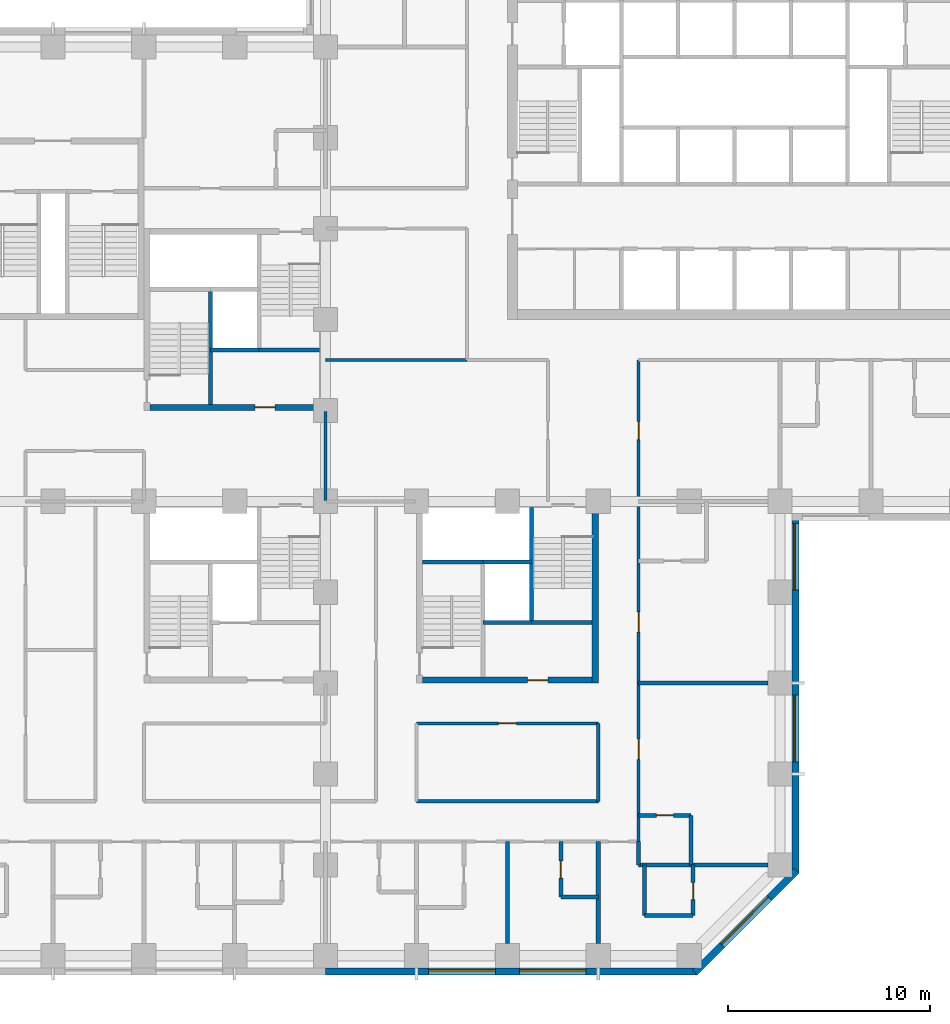
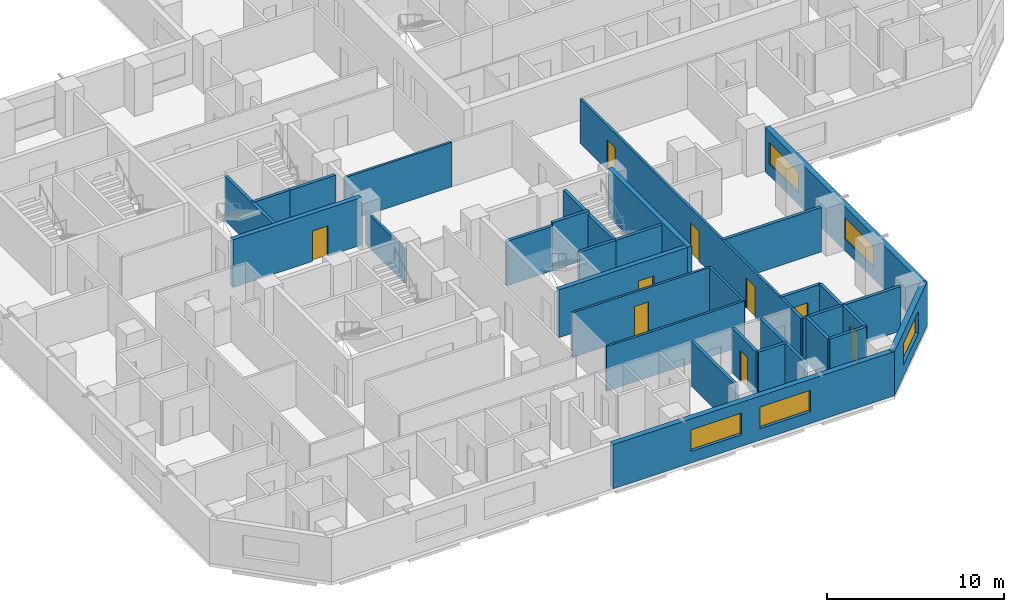
# One storey, part 5 of 13: 32 walls, 9 doors, 5 windows, 14 openings.
"""IFC4 building model written with IfcOpenShell, lengths in metres."""

from ifc_helpers import new_model, si_unit, direction, frame, frame_2d, origin, place, context, subcontext, project, spatial, rectangle, extrude, material, layer, layer_set, constituent, constituent_set, type_object, element, fill, save


model = new_model("IFC4")

# Units and contexts
model_context = context("Model", 3, precision=1e-05, world=origin(), true_north=direction((0.0, 1.0)))
body_context = subcontext(model_context, "Body", "Model", "MODEL_VIEW")
ifc_project = project(units=[si_unit("LENGTHUNIT", "METRE"), si_unit("AREAUNIT", "SQUARE_METRE"), si_unit("VOLUMEUNIT", "CUBIC_METRE"), si_unit("PLANEANGLEUNIT", "RADIAN"), si_unit("MASSUNIT", "GRAM", prefix="KILO")], contexts=[model_context])

# Site, building, storey
site_placement = place(None, origin())
site = spatial("IfcSite", under=ifc_project, at=site_placement, CompositionType="ELEMENT")
building_placement = place(site_placement, origin())
building = spatial("IfcBuilding", under=site, at=building_placement, Name="Quoin Convention Tower", CompositionType="ELEMENT")
storey_placement = place(building_placement, frame((0.0, 0.0, 49.5)))
storey = spatial("IfcBuildingStorey", under=building, at=storey_placement, Name="L12", CompositionType="ELEMENT", Elevation=49.5)

# Wall, openings, windows
ifc_material_1 = material(Name="Brick masonry", Category="masonry")
ifc_layer_1 = layer(ifc_material_1, 0.35009765625)
ifc_layer_set_1 = layer_set([ifc_layer_1], Name="Brick masonry")
wall_type_1 = type_object("IfcWallType", Name="Brick facade wall", PredefinedType="STANDARD", material=ifc_layer_set_1)
wall_1_placement = place(storey_placement, frame((36.0, 17.22509765625, 0.0), z_axis=(0.0, 0.0, 1.0), x_axis=(1.0, 0.0, 0.0)))
wall_1 = element("IfcWall", 1, at=wall_1_placement, inside=storey, type_object=wall_type_1, Name="fw-L12-36000_18000", PredefinedType="STANDARD", context=body_context, shape_type="SweptSolid", body=[
    extrude(rectangle(XDim=18.3935546875, YDim=0.35009765625, at=frame_2d((9.19677734375, 0.0))), origin(), (0.0, 0.0, 1.0), 3.054931640625),
])
opening_1_placement = place(wall_1_placement, frame((5.10009765625, 0.0, 0.800048828125)))
opening_1 = element("IfcOpeningElement", 2, at=opening_1_placement, cuts=wall_1, Name="Opening W-01", PredefinedType="OPENING", context=body_context, shape_type="SweptSolid", body=[
    extrude(rectangle(XDim=3.300048828125, YDim=1.5, at=frame_2d((1.64990234375, 0.75))), frame((0.0, 0.18505859375, 0.0), z_axis=(0.0, -1.0, 0.0), x_axis=(1.0, 0.0, 0.0)), (0.0, 0.0, 1.0), 0.3701171875),
])
opening_2_placement = place(wall_1_placement, frame((9.60009765625, 0.0, 0.800048828125)))
opening_2 = element("IfcOpeningElement", 3, at=opening_2_placement, cuts=wall_1, Name="Opening W-01", PredefinedType="OPENING", context=body_context, shape_type="SweptSolid", body=[
    extrude(rectangle(XDim=3.300048828125, YDim=1.5, at=frame_2d((1.64990234375, 0.75))), frame((0.0, 0.18505859375, 0.0), z_axis=(0.0, -1.0, 0.0), x_axis=(1.0, 0.0, 0.0)), (0.0, 0.0, 1.0), 0.3701171875),
])
ifc_material_2 = material(Name="Aluminium", Category="aluminium")
ifc_constituent_1 = constituent(ifc_material_2, Name="Frame")
ifc_material_3 = material(Name="Insulated glass", Category="glass")
ifc_constituent_2 = constituent(ifc_material_3, Name="Glazing")
ifc_constituent_set = constituent_set(constituents=[ifc_constituent_1, ifc_constituent_2], Name="Aluminium")
window_type = type_object("IfcWindowType", Name="Hotel strip window", PartitioningType="DOUBLE_PANEL_VERTICAL", PredefinedType="WINDOW", material=ifc_constituent_set)
window_1_placement = place(opening_1_placement, origin())
window_1 = element("IfcWindow", 4, at=window_1_placement, inside=storey, type_object=window_type, Name="win-L12-42750_17225", OverallHeight=1.5, OverallWidth=3.300048828125, PartitioningType="SINGLE_PANEL", PredefinedType="WINDOW", context=body_context, shape_type="SweptSolid", body=[
    extrude(rectangle(XDim=3.300048828125, YDim=1.5, at=frame_2d((1.64990234375, 0.75))), frame((0.0, 0.0849609375, 0.0), z_axis=(0.0, -1.0, 0.0), x_axis=(1.0, 0.0, 0.0)), (0.0, 0.0, 1.0), 0.06005859375),
])
fill(opening_1, window_1)
window_2_placement = place(opening_2_placement, origin())
window_2 = element("IfcWindow", 5, at=window_2_placement, inside=storey, type_object=window_type, Name="win-L12-47250_17225", OverallHeight=1.5, OverallWidth=3.300048828125, PartitioningType="SINGLE_PANEL", PredefinedType="WINDOW", context=body_context, shape_type="SweptSolid", body=[
    extrude(rectangle(XDim=3.300048828125, YDim=1.5, at=frame_2d((1.64990234375, 0.75))), frame((0.0, 0.0849609375, 0.0), z_axis=(0.0, -1.0, 0.0), x_axis=(1.0, 0.0, 0.0)), (0.0, 0.0, 1.0), 0.06005859375),
])
fill(opening_2, window_2)

# Wall, opening, window
wall_2_placement = place(storey_placement, frame((54.269775390625, 17.173583984375, 0.0), z_axis=(0.0, 0.0, 1.0), x_axis=(0.707106781187, 0.707106781187, 0.0)))
wall_2 = element("IfcWall", 6, at=wall_2_placement, inside=storey, type_object=wall_type_1, Name="fw-L12-54000_18000", PredefinedType="STANDARD", context=body_context, shape_type="SweptSolid", body=[
    extrude(rectangle(XDim=7.151123046875, YDim=0.35009765625, at=frame_2d((3.57568359375, 0.0))), origin(), (0.0, 0.0, 1.0), 3.054931640625),
])
opening_3_placement = place(wall_2_placement, frame((1.925537109375, 0.0, 0.800048828125)))
opening_3 = element("IfcOpeningElement", 7, at=opening_3_placement, cuts=wall_2, Name="Opening W-01", PredefinedType="OPENING", context=body_context, shape_type="SweptSolid", body=[
    extrude(rectangle(XDim=3.300048828125, YDim=1.5, at=frame_2d((1.64990234375, 0.75))), frame((0.0, 0.18505859375, 0.0), z_axis=(0.0, -1.0, 0.0), x_axis=(1.0, 0.0, 0.0)), (0.0, 0.0, 1.0), 0.3701171875),
])
window_3_placement = place(opening_3_placement, origin())
window_3 = element("IfcWindow", 8, at=window_3_placement, inside=storey, type_object=window_type, Name="win-L12-56798_19702", OverallHeight=1.5, OverallWidth=3.300048828125, PartitioningType="SINGLE_PANEL", PredefinedType="WINDOW", context=body_context, shape_type="SweptSolid", body=[
    extrude(rectangle(XDim=3.300048828125, YDim=1.5, at=frame_2d((1.64990234375, 0.75))), frame((0.0, 0.0849609375, 0.0), z_axis=(0.0, -1.0, 0.0), x_axis=(1.0, 0.0, 0.0)), (0.0, 0.0, 1.0), 0.06005859375),
])
fill(opening_3, window_3)

# Wall, openings, windows
wall_3_placement = place(storey_placement, frame((59.27490234375, 22.1064453125, 0.0), z_axis=(0.0, 0.0, 1.0), x_axis=(0.0, 1.0, 0.0)))
wall_3 = element("IfcWall", 9, at=wall_3_placement, inside=storey, type_object=wall_type_1, Name="fw-L12-58500_22500", PredefinedType="STANDARD", context=body_context, shape_type="SweptSolid", body=[
    extrude(rectangle(XDim=17.79345703125, YDim=0.35009765625, at=frame_2d((8.896728515625, 0.0))), origin(), (0.0, 0.0, 1.0), 3.054931640625),
])
opening_4_placement = place(wall_3_placement, frame((5.493408203125, 0.0, 0.800048828125)))
opening_4 = element("IfcOpeningElement", 10, at=opening_4_placement, cuts=wall_3, Name="Opening W-01", PredefinedType="OPENING", context=body_context, shape_type="SweptSolid", body=[
    extrude(rectangle(XDim=3.300048828125, YDim=1.5, at=frame_2d((1.64990234375, 0.75))), frame((0.0, 0.18505859375, 0.0), z_axis=(0.0, -1.0, 0.0), x_axis=(1.0, 0.0, 0.0)), (0.0, 0.0, 1.0), 0.3701171875),
])
opening_5_placement = place(wall_3_placement, frame((13.993408203125, 0.0, 0.800048828125)))
opening_5 = element("IfcOpeningElement", 11, at=opening_5_placement, cuts=wall_3, Name="Opening W-01", PredefinedType="OPENING", context=body_context, shape_type="SweptSolid", body=[
    extrude(rectangle(XDim=3.300048828125, YDim=1.5, at=frame_2d((1.64990234375, 0.75))), frame((0.0, 0.18505859375, 0.0), z_axis=(0.0, -1.0, 0.0), x_axis=(1.0, 0.0, 0.0)), (0.0, 0.0, 1.0), 0.3701171875),
])
window_4_placement = place(opening_4_placement, origin())
window_4 = element("IfcWindow", 12, at=window_4_placement, inside=storey, type_object=window_type, Name="win-L12-59275_29250", OverallHeight=1.5, OverallWidth=3.300048828125, PartitioningType="SINGLE_PANEL", PredefinedType="WINDOW", context=body_context, shape_type="SweptSolid", body=[
    extrude(rectangle(XDim=3.300048828125, YDim=1.5, at=frame_2d((1.64990234375, 0.75))), frame((0.0, 0.0849609375, 0.0), z_axis=(0.0, -1.0, 0.0), x_axis=(1.0, 0.0, 0.0)), (0.0, 0.0, 1.0), 0.06005859375),
])
fill(opening_4, window_4)
window_5_placement = place(opening_5_placement, origin())
window_5 = element("IfcWindow", 13, at=window_5_placement, inside=storey, type_object=window_type, Name="win-L12-59275_38250", OverallHeight=1.5, OverallWidth=3.300048828125, PartitioningType="SINGLE_PANEL", PredefinedType="WINDOW", context=body_context, shape_type="SweptSolid", body=[
    extrude(rectangle(XDim=3.300048828125, YDim=1.5, at=frame_2d((1.64990234375, 0.75))), frame((0.0, 0.0849609375, 0.0), z_axis=(0.0, -1.0, 0.0), x_axis=(1.0, 0.0, 0.0)), (0.0, 0.0, 1.0), 0.06005859375),
])
fill(opening_5, window_5)

# Walls
ifc_material_4 = material(Name="Concrete C50", Category="concrete")
ifc_layer_2 = layer(ifc_material_4, 0.199951171875)
ifc_layer_set_2 = layer_set([ifc_layer_2], Name="Concrete C50")
wall_type_2 = type_object("IfcWallType", Name="Core shaft wall", PredefinedType="SOLIDWALL", material=ifc_layer_set_2)
wall_4_placement = place(storey_placement, frame((30.300048828125, 48.0, 0.0), z_axis=(0.0, 0.0, 1.0), x_axis=(1.0, 0.0, 0.0)))
element("IfcWall", 14, at=wall_4_placement, inside=storey, type_object=wall_type_2, Name="cr-P2-L12-h3000_3300", PredefinedType="SOLIDWALL", context=body_context, shape_type="SweptSolid", body=[
    extrude(rectangle(XDim=2.39990234375, YDim=0.199951171875, at=frame_2d((1.199951171875, 0.0))), origin(), (0.0, 0.0, 1.0), 3.080078125),
])
wall_5_placement = place(storey_placement, frame((32.699951171875, 48.0, 0.0), z_axis=(0.0, 0.0, 1.0), x_axis=(1.0, 0.0, 0.0)))
element("IfcWall", 15, at=wall_5_placement, inside=storey, type_object=wall_type_2, Name="cr-P2-L12-h3000_5700", PredefinedType="SOLIDWALL", context=body_context, shape_type="SweptSolid", body=[
    extrude(rectangle(XDim=3.0, YDim=0.199951171875, at=frame_2d((1.5, 0.0))), origin(), (0.0, 0.0, 1.0), 3.080078125),
])
wall_6_placement = place(storey_placement, frame((30.300048828125, 45.300048828125, 0.0), z_axis=(0.0, 0.0, 1.0), x_axis=(0.0, 1.0, 0.0)))
element("IfcWall", 16, at=wall_6_placement, inside=storey, type_object=wall_type_2, Name="cr-P2-L12-v3300_300", PredefinedType="SOLIDWALL", context=body_context, shape_type="SweptSolid", body=[
    extrude(rectangle(XDim=5.699951171875, YDim=0.199951171875, at=frame_2d((2.85009765625, 0.0))), origin(), (0.0, 0.0, 1.0), 3.080078125),
])
wall_7_placement = place(storey_placement, frame((43.800048828125, 34.5, 0.0), z_axis=(0.0, 0.0, 1.0), x_axis=(1.0, 0.0, 0.0)))
element("IfcWall", 17, at=wall_7_placement, inside=storey, type_object=wall_type_2, Name="cr-P3-L12-h3000_3300", PredefinedType="SOLIDWALL", context=body_context, shape_type="SweptSolid", body=[
    extrude(rectangle(XDim=2.39990234375, YDim=0.199951171875, at=frame_2d((1.199951171875, 0.0))), origin(), (0.0, 0.0, 1.0), 3.080078125),
])
for number, where, z_axis, x_axis, name in (
    (18, (46.199951171875, 34.5, 0.0), (0.0, 0.0, 1.0), (1.0, 0.0, 0.0), "cr-P3-L12-h3000_5700"),
    (19, (40.800048828125, 37.5, 0.0), (0.0, 0.0, 1.0), (1.0, 0.0, 0.0), "cr-P3-L12-h6000_300"),
):
    element("IfcWall", number, at=place(storey_placement, frame(where, z_axis=z_axis, x_axis=x_axis)), inside=storey, type_object=wall_type_2, Name=name, PredefinedType="SOLIDWALL", context=body_context, shape_type="SweptSolid", body=[
        extrude(rectangle(XDim=3.0, YDim=0.199951171875, at=frame_2d((1.5, 0.0))), origin(), (0.0, 0.0, 1.0), 3.080078125),
    ])
wall_8_placement = place(storey_placement, frame((46.199951171875, 34.5, 0.0), z_axis=(0.0, 0.0, 1.0), x_axis=(0.0, 1.0, 0.0)))
element("IfcWall", 20, at=wall_8_placement, inside=storey, type_object=wall_type_2, Name="cr-P3-L12-v5700_3000", PredefinedType="SOLIDWALL", context=body_context, shape_type="SweptSolid", body=[
    extrude(rectangle(XDim=5.699951171875, YDim=0.199951171875, at=frame_2d((2.85009765625, 0.0))), origin(), (0.0, 0.0, 1.0), 3.080078125),
])
ifc_layer_3 = layer(ifc_material_4, 0.199951171875)
ifc_layer_set_3 = layer_set([ifc_layer_3], Name="Concrete C50")
wall_type_3 = type_object("IfcWallType", Name="Core shaft wall to the floor level over", PredefinedType="SOLIDWALL", material=ifc_layer_set_3)
wall_9_placement = place(storey_placement, frame((43.800048828125, 37.5, 0.0), z_axis=(0.0, 0.0, 1.0), x_axis=(1.0, 0.0, 0.0)))
element("IfcWall", 21, at=wall_9_placement, inside=storey, type_object=wall_type_3, Name="cr-P3-L12-h6000_3300", PredefinedType="SOLIDWALL", context=body_context, shape_type="SweptSolid", body=[
    extrude(rectangle(XDim=2.39990234375, YDim=0.199951171875, at=frame_2d((1.199951171875, 0.0))), origin(), (0.0, 0.0, 1.0), 3.300048828125),
])

# Wall, opening, door
ifc_material_5 = material(Name="Concrete C80", Category="concrete")
ifc_layer_4 = layer(ifc_material_5, 0.300048828125)
ifc_layer_set_4 = layer_set([ifc_layer_4], Name="Concrete C80")
wall_type_4 = type_object("IfcWallType", Name="RC CORE WALL 300 C80", PredefinedType="SHEAR", material=ifc_layer_set_4)
wall_10_placement = place(storey_placement, frame((27.300048828125, 45.14990234375, 0.0), z_axis=(0.0, 0.0, 1.0), x_axis=(1.0, 0.0, 0.0)))
wall_10 = element("IfcWall", 22, at=wall_10_placement, inside=storey, type_object=wall_type_4, Name="cwl-P2-L12-S", PredefinedType="SHEAR", context=body_context, shape_type="SweptSolid", body=[
    extrude(rectangle(XDim=8.39990234375, YDim=0.300048828125, at=frame_2d((4.199951171875, 0.0))), origin(), (0.0, 0.0, 1.0), 3.300048828125),
])
opening_6_placement = place(wall_10_placement, frame((5.199951171875, 0.0, 0.0)))
opening_6 = element("IfcOpeningElement", 23, at=opening_6_placement, cuts=wall_10, Name="Opening DCV4-42", PredefinedType="OPENING", context=body_context, shape_type="SweptSolid", body=[
    extrude(rectangle(XDim=1.0, YDim=2.10009765625, at=frame_2d((0.5, 1.050048828125))), frame((0.0, 0.159912109375, 0.0), z_axis=(0.0, -1.0, 0.0), x_axis=(1.0, 0.0, 0.0)), (0.0, 0.0, 1.0), 0.320068359375),
])
ifc_material_6 = material(Name="Steel door leaf", Category="steel")
door_type_1 = type_object("IfcDoorType", Name="Service door 1000 x 2100", OperationType="SINGLE_SWING_LEFT", PredefinedType="DOOR", material=ifc_material_6)
door_1_placement = place(opening_6_placement, origin())
door_1 = element("IfcDoor", 24, at=door_1_placement, inside=storey, type_object=door_type_1, Name="cd-P2-L12-R2-S", OperationType="SINGLE_SWING_LEFT", OverallHeight=2.10009765625, OverallWidth=1.0, PredefinedType="DOOR", context=body_context, shape_type="SweptSolid", body=[
    extrude(rectangle(XDim=1.0, YDim=2.10009765625, at=frame_2d((0.5, 1.050048828125))), frame((0.0, 0.02490234375, 0.0), z_axis=(0.0, -1.0, 0.0), x_axis=(1.0, 0.0, 0.0)), (0.0, 0.0, 1.0), 0.050048828125),
])
fill(opening_6, door_1)

wall_11_placement = place(storey_placement, frame((40.800048828125, 31.64990234375, 0.0), z_axis=(0.0, 0.0, 1.0), x_axis=(1.0, 0.0, 0.0)))
wall_11 = element("IfcWall", 25, at=wall_11_placement, inside=storey, type_object=wall_type_4, Name="cwl-P3-L12-S", PredefinedType="SHEAR", context=body_context, shape_type="SweptSolid", body=[
    extrude(rectangle(XDim=8.39990234375, YDim=0.300048828125, at=frame_2d((4.199951171875, 0.0))), origin(), (0.0, 0.0, 1.0), 3.300048828125),
])
opening_7_placement = place(wall_11_placement, frame((5.199951171875, 0.0, 0.0)))
opening_7 = element("IfcOpeningElement", 26, at=opening_7_placement, cuts=wall_11, Name="Opening DCV4-43", PredefinedType="OPENING", context=body_context, shape_type="SweptSolid", body=[
    extrude(rectangle(XDim=1.0, YDim=2.10009765625, at=frame_2d((0.5, 1.050048828125))), frame((0.0, 0.159912109375, 0.0), z_axis=(0.0, -1.0, 0.0), x_axis=(1.0, 0.0, 0.0)), (0.0, 0.0, 1.0), 0.320068359375),
])
door_2_placement = place(opening_7_placement, origin())
door_2 = element("IfcDoor", 27, at=door_2_placement, inside=storey, type_object=door_type_1, Name="cd-P3-L12-R2-S", OperationType="SINGLE_SWING_LEFT", OverallHeight=2.10009765625, OverallWidth=1.0, PredefinedType="DOOR", context=body_context, shape_type="SweptSolid", body=[
    extrude(rectangle(XDim=1.0, YDim=2.10009765625, at=frame_2d((0.5, 1.050048828125))), frame((0.0, 0.02490234375, 0.0), z_axis=(0.0, -1.0, 0.0), x_axis=(1.0, 0.0, 0.0)), (0.0, 0.0, 1.0), 0.050048828125),
])
fill(opening_7, door_2)

# Walls
wall_12_placement = place(storey_placement, frame((49.35009765625, 31.5, 0.0), z_axis=(0.0, 0.0, 1.0), x_axis=(0.0, 1.0, 0.0)))
element("IfcWall", 28, at=wall_12_placement, inside=storey, type_object=wall_type_4, Name="cwl-P3-L12-E", PredefinedType="SHEAR", context=body_context, shape_type="SweptSolid", body=[
    extrude(rectangle(XDim=9.0, YDim=0.300048828125, at=frame_2d((4.5, 0.0))), origin(), (0.0, 0.0, 1.0), 3.300048828125),
])
ifc_layer_5 = layer(ifc_material_4, 0.199951171875)
ifc_layer_set_5 = layer_set([ifc_layer_5], Name="Concrete C50")
wall_type_5 = type_object("IfcWallType", Name="RC party wall", PredefinedType="SOLIDWALL", material=ifc_layer_set_5)
for number, where, z_axis, x_axis, name in (
    (29, (45.0, 18.60009765625, 0.0), (0.0, 0.0, 1.0), (0.0, 1.0, 0.0), "pw-L12-042"),
    (30, (49.5, 18.60009765625, 0.0), (0.0, 0.0, 1.0), (0.0, 1.0, 0.0), "pw-L12-043"),
):
    element("IfcWall", number, at=place(storey_placement, frame(where, z_axis=z_axis, x_axis=x_axis)), inside=storey, type_object=wall_type_5, Name=name, PredefinedType="SOLIDWALL", context=body_context, shape_type="SweptSolid", body=[
        extrude(rectangle(XDim=5.0498046875, YDim=0.199951171875, at=frame_2d((2.52490234375, 0.0))), origin(), (0.0, 0.0, 1.0), 3.080078125),
    ])
wall_13_placement = place(storey_placement, frame((51.800048828125, 20.0, 0.0), z_axis=(0.0, 0.0, 1.0), x_axis=(1.0, 0.0, 0.0)))
element("IfcWall", 31, at=wall_13_placement, inside=storey, type_object=wall_type_5, Name="pw-L12-047", PredefinedType="SOLIDWALL", context=body_context, shape_type="SweptSolid", body=[
    extrude(rectangle(XDim=2.39990234375, YDim=0.199951171875, at=frame_2d((1.199951171875, 0.0))), origin(), (0.0, 0.0, 1.0), 3.080078125),
])
wall_14_placement = place(storey_placement, frame((51.800048828125, 20.0, 0.0), z_axis=(0.0, 0.0, 1.0), x_axis=(0.0, 1.0, 0.0)))
element("IfcWall", 32, at=wall_14_placement, inside=storey, type_object=wall_type_5, Name="pw-L12-048", PredefinedType="SOLIDWALL", context=body_context, shape_type="SweptSolid", body=[
    extrude(rectangle(XDim=2.5, YDim=0.199951171875, at=frame_2d((1.25, 0.0))), origin(), (0.0, 0.0, 1.0), 3.080078125),
])

# Wall, opening, door
wall_15_placement = place(storey_placement, frame((54.199951171875, 20.0, 0.0), z_axis=(0.0, 0.0, 1.0), x_axis=(0.0, 1.0, 0.0)))
wall_15 = element("IfcWall", 33, at=wall_15_placement, inside=storey, type_object=wall_type_5, Name="pw-L12-049", PredefinedType="SOLIDWALL", context=body_context, shape_type="SweptSolid", body=[
    extrude(rectangle(XDim=2.5, YDim=0.199951171875, at=frame_2d((1.25, 0.0))), origin(), (0.0, 0.0, 1.0), 3.080078125),
])
opening_8_placement = place(wall_15_placement, frame((0.77490234375, 0.0, 0.0)))
opening_8 = element("IfcOpeningElement", 34, at=opening_8_placement, cuts=wall_15, Name="Opening DHOTEL-A-40", PredefinedType="OPENING", context=body_context, shape_type="SweptSolid", body=[
    extrude(rectangle(XDim=0.85009765625, YDim=2.10009765625, at=frame_2d((0.425048828125, 1.050048828125))), frame((0.0, 0.10986328125, 0.0), z_axis=(0.0, -1.0, 0.0), x_axis=(1.0, 0.0, 0.0)), (0.0, 0.0, 1.0), 0.219970703125),
])
door_type_2 = type_object("IfcDoorType", Name="Bathroom door", OperationType="SINGLE_SWING_LEFT", PredefinedType="DOOR", material=ifc_material_6)
door_3_placement = place(opening_8_placement, frame((0.85009765625, 0.0, 0.0), z_axis=(0.0, 0.0, 1.0), x_axis=(-1.0, 0.0, 0.0)))
door_3 = element("IfcDoor", 35, at=door_3_placement, inside=storey, type_object=door_type_2, Name="dr-L12-056", OperationType="SINGLE_SWING_LEFT", OverallHeight=2.10009765625, OverallWidth=0.85009765625, PredefinedType="DOOR", context=body_context, shape_type="SweptSolid", body=[
    extrude(rectangle(XDim=0.85009765625, YDim=2.10009765625, at=frame_2d((0.425048828125, 1.050048828125))), frame((0.0, 0.02490234375, 0.0), z_axis=(0.0, -1.0, 0.0), x_axis=(1.0, 0.0, 0.0)), (0.0, 0.0, 1.0), 0.050048828125),
])
fill(opening_8, door_3)

# Wall
wall_16_placement = place(storey_placement, frame((47.64990234375, 20.89990234375, 0.0), z_axis=(0.0, 0.0, 1.0), x_axis=(1.0, 0.0, 0.0)))
element("IfcWall", 36, at=wall_16_placement, inside=storey, type_object=wall_type_5, Name="pw-L12-058", PredefinedType="SOLIDWALL", context=body_context, shape_type="SweptSolid", body=[
    extrude(rectangle(XDim=1.85009765625, YDim=0.199951171875, at=frame_2d((0.925048828125, 0.0))), origin(), (0.0, 0.0, 1.0), 3.080078125),
])

# Wall, opening, door
wall_17_placement = place(storey_placement, frame((47.64990234375, 20.89990234375, 0.0), z_axis=(0.0, 0.0, 1.0), x_axis=(0.0, 1.0, 0.0)))
wall_17 = element("IfcWall", 37, at=wall_17_placement, inside=storey, type_object=wall_type_5, Name="pw-L12-059", PredefinedType="SOLIDWALL", context=body_context, shape_type="SweptSolid", body=[
    extrude(rectangle(XDim=2.75, YDim=0.199951171875, at=frame_2d((1.375, 0.0))), origin(), (0.0, 0.0, 1.0), 3.080078125),
])
opening_9_placement = place(wall_17_placement, frame((0.949951171875, 0.0, 0.0)))
opening_9 = element("IfcOpeningElement", 38, at=opening_9_placement, cuts=wall_17, Name="Opening DHOTEL-A-45", PredefinedType="OPENING", context=body_context, shape_type="SweptSolid", body=[
    extrude(rectangle(XDim=0.85009765625, YDim=2.10009765625, at=frame_2d((0.425048828125, 1.050048828125))), frame((0.0, 0.10986328125, 0.0), z_axis=(0.0, -1.0, 0.0), x_axis=(1.0, 0.0, 0.0)), (0.0, 0.0, 1.0), 0.219970703125),
])
door_4_placement = place(opening_9_placement, origin())
door_4 = element("IfcDoor", 39, at=door_4_placement, inside=storey, type_object=door_type_2, Name="dr-L12-012", OperationType="SINGLE_SWING_RIGHT", OverallHeight=2.10009765625, OverallWidth=0.85009765625, PredefinedType="DOOR", context=body_context, shape_type="SweptSolid", body=[
    extrude(rectangle(XDim=0.85009765625, YDim=2.10009765625, at=frame_2d((0.425048828125, 1.050048828125))), frame((0.0, 0.02490234375, 0.0), z_axis=(0.0, -1.0, 0.0), x_axis=(1.0, 0.0, 0.0)), (0.0, 0.0, 1.0), 0.050048828125),
])
fill(opening_9, door_4)

# Walls
wall_18_placement = place(storey_placement, frame((51.5, 22.5, 0.0), z_axis=(0.0, 0.0, 1.0), x_axis=(1.0, 0.0, 0.0)))
element("IfcWall", 40, at=wall_18_placement, inside=storey, type_object=wall_type_5, Name="pw-L12-065", PredefinedType="SOLIDWALL", context=body_context, shape_type="SweptSolid", body=[
    extrude(rectangle(XDim=6.39990234375, YDim=0.199951171875, at=frame_2d((3.199951171875, 0.0))), origin(), (0.0, 0.0, 1.0), 3.080078125),
])
wall_19_placement = place(storey_placement, frame((51.5, 22.5, 0.0), z_axis=(0.0, 0.0, 1.0), x_axis=(0.0, 1.0, 0.0)))
element("IfcWall", 41, at=wall_19_placement, inside=storey, type_object=wall_type_5, Name="pw-L12-066", PredefinedType="SOLIDWALL", context=body_context, shape_type="SweptSolid", body=[
    extrude(rectangle(XDim=1.14990234375, YDim=0.199951171875, at=frame_2d((0.574951171875, 0.0))), origin(), (0.0, 0.0, 1.0), 3.080078125),
])
wall_20_placement = place(storey_placement, frame((54.10009765625, 22.5, 0.0), z_axis=(0.0, 0.0, 1.0), x_axis=(0.0, 1.0, 0.0)))
element("IfcWall", 42, at=wall_20_placement, inside=storey, type_object=wall_type_5, Name="pw-L12-067", PredefinedType="SOLIDWALL", context=body_context, shape_type="SweptSolid", body=[
    extrude(rectangle(XDim=2.449951171875, YDim=0.199951171875, at=frame_2d((1.22509765625, 0.0))), origin(), (0.0, 0.0, 1.0), 3.080078125),
])

# Wall, opening, door
wall_21_placement = place(storey_placement, frame((51.5, 24.949951171875, 0.0), z_axis=(0.0, 0.0, 1.0), x_axis=(1.0, 0.0, 0.0)))
wall_21 = element("IfcWall", 43, at=wall_21_placement, inside=storey, type_object=wall_type_5, Name="pw-L12-069", PredefinedType="SOLIDWALL", context=body_context, shape_type="SweptSolid", body=[
    extrude(rectangle(XDim=2.60009765625, YDim=0.199951171875, at=frame_2d((1.300048828125, 0.0))), origin(), (0.0, 0.0, 1.0), 3.080078125),
])
opening_10_placement = place(wall_21_placement, frame((0.875, 0.0, 0.0)))
opening_10 = element("IfcOpeningElement", 44, at=opening_10_placement, cuts=wall_21, Name="Opening DHOTEL-A-48", PredefinedType="OPENING", context=body_context, shape_type="SweptSolid", body=[
    extrude(rectangle(XDim=0.85009765625, YDim=2.10009765625, at=frame_2d((0.425048828125, 1.050048828125))), frame((0.0, 0.10986328125, 0.0), z_axis=(0.0, -1.0, 0.0), x_axis=(1.0, 0.0, 0.0)), (0.0, 0.0, 1.0), 0.219970703125),
])
door_5_placement = place(opening_10_placement, origin())
door_5 = element("IfcDoor", 45, at=door_5_placement, inside=storey, type_object=door_type_2, Name="dr-L12-024", OperationType="SINGLE_SWING_LEFT", OverallHeight=2.10009765625, OverallWidth=0.85009765625, PredefinedType="DOOR", context=body_context, shape_type="SweptSolid", body=[
    extrude(rectangle(XDim=0.85009765625, YDim=2.10009765625, at=frame_2d((0.425048828125, 1.050048828125))), frame((0.0, 0.02490234375, 0.0), z_axis=(0.0, -1.0, 0.0), x_axis=(1.0, 0.0, 0.0)), (0.0, 0.0, 1.0), 0.050048828125),
])
fill(opening_10, door_5)

# Wall
wall_22_placement = place(storey_placement, frame((51.5, 31.5, 0.0), z_axis=(0.0, 0.0, 1.0), x_axis=(1.0, 0.0, 0.0)))
element("IfcWall", 46, at=wall_22_placement, inside=storey, type_object=wall_type_5, Name="pw-L12-071", PredefinedType="SOLIDWALL", context=body_context, shape_type="SweptSolid", body=[
    extrude(rectangle(XDim=6.39990234375, YDim=0.199951171875, at=frame_2d((3.199951171875, 0.0))), origin(), (0.0, 0.0, 1.0), 3.080078125),
])

# Wall, openings, doors
ifc_material_7 = material(Name="Plasterboard")
ifc_layer_6 = layer(ifc_material_7, 0.012451171875, Name="Finish")
ifc_material_8 = material(Name="Steel stud framing", Category="steel")
ifc_layer_7 = layer(ifc_material_8, 0.125, Name="Structure")
ifc_layer_8 = layer(ifc_material_7, 0.012451171875, Name="Finish")
ifc_layer_set_6 = layer_set([ifc_layer_6, ifc_layer_7, ifc_layer_8], Name="Steel stud framing")
wall_type_6 = type_object("IfcWallType", Name="corridor partition", PredefinedType="PARTITIONING", material=ifc_layer_set_6)
wall_23_placement = place(storey_placement, frame((51.5, 23.64990234375, 0.0), z_axis=(0.0, 0.0, 1.0), x_axis=(0.0, 1.0, 0.0)))
wall_23 = element("IfcWall", 47, at=wall_23_placement, inside=storey, type_object=wall_type_6, Name="pw-L12-007", PredefinedType="PARTITIONING", context=body_context, shape_type="SweptSolid", body=[
    extrude(rectangle(XDim=23.85009765625, YDim=0.14990234375, at=frame_2d((11.925048828125, 0.0))), origin(), (0.0, 0.0, 1.0), 3.080078125),
])
opening_11_placement = place(wall_23_placement, frame((4.074951171875, 0.0, 0.0)))
opening_11 = element("IfcOpeningElement", 48, at=opening_11_placement, cuts=wall_23, Name="Opening DHOTEL-A-13", PredefinedType="OPENING", context=body_context, shape_type="SweptSolid", body=[
    extrude(rectangle(XDim=1.0, YDim=2.10009765625, at=frame_2d((0.5, 1.050048828125))), frame((0.0, 0.0849609375, 0.0), z_axis=(0.0, -1.0, 0.0), x_axis=(1.0, 0.0, 0.0)), (0.0, 0.0, 1.0), 0.169921875),
])
opening_12_placement = place(wall_23_placement, frame((10.375, 0.0, 0.0)))
opening_12 = element("IfcOpeningElement", 49, at=opening_12_placement, cuts=wall_23, Name="Opening DHOTEL-A-14", PredefinedType="OPENING", context=body_context, shape_type="SweptSolid", body=[
    extrude(rectangle(XDim=1.0, YDim=2.10009765625, at=frame_2d((0.5, 1.050048828125))), frame((0.0, 0.0849609375, 0.0), z_axis=(0.0, -1.0, 0.0), x_axis=(1.0, 0.0, 0.0)), (0.0, 0.0, 1.0), 0.169921875),
])
opening_13_placement = place(wall_23_placement, frame((19.89990234375, 0.0, 0.0)))
opening_13 = element("IfcOpeningElement", 50, at=opening_13_placement, cuts=wall_23, Name="Opening DHOTEL-A-15", PredefinedType="OPENING", context=body_context, shape_type="SweptSolid", body=[
    extrude(rectangle(XDim=0.89990234375, YDim=2.10009765625, at=frame_2d((0.449951171875, 1.050048828125))), frame((0.0, 0.0849609375, 0.0), z_axis=(0.0, -1.0, 0.0), x_axis=(1.0, 0.0, 0.0)), (0.0, 0.0, 1.0), 0.169921875),
])
door_type_3 = type_object("IfcDoorType", Name="Hotel room door", OperationType="SINGLE_SWING_LEFT", PredefinedType="DOOR", material=ifc_material_6)
door_6_placement = place(opening_11_placement, frame((1.0, 0.0, 0.0), z_axis=(0.0, 0.0, 1.0), x_axis=(-1.0, 0.0, 0.0)))
door_6 = element("IfcDoor", 51, at=door_6_placement, inside=storey, type_object=door_type_3, Name="dr-L12-023", OperationType="SINGLE_SWING_LEFT", OverallHeight=2.10009765625, OverallWidth=1.0, PredefinedType="DOOR", context=body_context, shape_type="SweptSolid", body=[
    extrude(rectangle(XDim=1.0, YDim=2.10009765625, at=frame_2d((0.5, 1.050048828125))), frame((0.0, 0.02490234375, 0.0), z_axis=(0.0, -1.0, 0.0), x_axis=(1.0, 0.0, 0.0)), (0.0, 0.0, 1.0), 0.050048828125),
])
fill(opening_11, door_6)
door_7_placement = place(opening_12_placement, frame((1.0, 0.0, 0.0), z_axis=(0.0, 0.0, 1.0), x_axis=(-1.0, 0.0, 0.0)))
door_7 = element("IfcDoor", 52, at=door_7_placement, inside=storey, type_object=door_type_3, Name="dr-L12-025", OperationType="SINGLE_SWING_LEFT", OverallHeight=2.10009765625, OverallWidth=1.0, PredefinedType="DOOR", context=body_context, shape_type="SweptSolid", body=[
    extrude(rectangle(XDim=1.0, YDim=2.10009765625, at=frame_2d((0.5, 1.050048828125))), frame((0.0, 0.02490234375, 0.0), z_axis=(0.0, -1.0, 0.0), x_axis=(1.0, 0.0, 0.0)), (0.0, 0.0, 1.0), 0.050048828125),
])
fill(opening_12, door_7)
door_type_4 = type_object("IfcDoorType", Name="Single room door", OperationType="SINGLE_SWING_RIGHT", PredefinedType="DOOR", material=ifc_material_6)
door_8_placement = place(opening_13_placement, frame((0.89990234375, 0.0, 0.0), z_axis=(0.0, 0.0, 1.0), x_axis=(-1.0, 0.0, 0.0)))
door_8 = element("IfcDoor", 53, at=door_8_placement, inside=storey, type_object=door_type_4, Name="dr-L12-074", OperationType="SINGLE_SWING_LEFT", OverallHeight=2.10009765625, OverallWidth=0.89990234375, PredefinedType="DOOR", context=body_context, shape_type="SweptSolid", body=[
    extrude(rectangle(XDim=0.89990234375, YDim=2.10009765625, at=frame_2d((0.449951171875, 1.050048828125))), frame((0.0, 0.02490234375, 0.0), z_axis=(0.0, -1.0, 0.0), x_axis=(1.0, 0.0, 0.0)), (0.0, 0.0, 1.0), 0.050048828125),
])
fill(opening_13, door_8)

# Walls
wall_24_placement = place(storey_placement, frame((40.5, 25.64990234375, 0.0), z_axis=(0.0, 0.0, 1.0), x_axis=(1.0, 0.0, 0.0)))
element("IfcWall", 54, at=wall_24_placement, inside=storey, type_object=wall_type_6, Name="pw-L12-014", PredefinedType="PARTITIONING", context=body_context, shape_type="SweptSolid", body=[
    extrude(rectangle(XDim=9.0, YDim=0.14990234375, at=frame_2d((4.5, 0.0))), origin(), (0.0, 0.0, 1.0), 3.080078125),
])
wall_25_placement = place(storey_placement, frame((49.5, 25.64990234375, 0.0), z_axis=(0.0, 0.0, 1.0), x_axis=(0.0, 1.0, 0.0)))
element("IfcWall", 55, at=wall_25_placement, inside=storey, type_object=wall_type_6, Name="pw-L12-016", PredefinedType="PARTITIONING", context=body_context, shape_type="SweptSolid", body=[
    extrude(rectangle(XDim=3.85009765625, YDim=0.14990234375, at=frame_2d((1.925048828125, 0.0))), origin(), (0.0, 0.0, 1.0), 3.080078125),
])

# Wall, opening, door
wall_26_placement = place(storey_placement, frame((40.5, 29.5, 0.0), z_axis=(0.0, 0.0, 1.0), x_axis=(1.0, 0.0, 0.0)))
wall_26 = element("IfcWall", 56, at=wall_26_placement, inside=storey, type_object=wall_type_6, Name="pw-L12-019", PredefinedType="PARTITIONING", context=body_context, shape_type="SweptSolid", body=[
    extrude(rectangle(XDim=9.0, YDim=0.14990234375, at=frame_2d((4.5, 0.0))), origin(), (0.0, 0.0, 1.0), 3.080078125),
])
opening_14_placement = place(wall_26_placement, frame((4.050048828125, 0.0, 0.0)))
opening_14 = element("IfcOpeningElement", 57, at=opening_14_placement, cuts=wall_26, Name="Opening DHOTEL-A-19", PredefinedType="OPENING", context=body_context, shape_type="SweptSolid", body=[
    extrude(rectangle(XDim=0.89990234375, YDim=2.10009765625, at=frame_2d((0.449951171875, 1.050048828125))), frame((0.0, 0.0849609375, 0.0), z_axis=(0.0, -1.0, 0.0), x_axis=(1.0, 0.0, 0.0)), (0.0, 0.0, 1.0), 0.169921875),
])
door_type_5 = type_object("IfcDoorType", Name="Service room door", OperationType="SINGLE_SWING_LEFT", PredefinedType="DOOR", material=ifc_material_6)
door_9_placement = place(opening_14_placement, frame((0.89990234375, 0.0, 0.0), z_axis=(0.0, 0.0, 1.0), x_axis=(-1.0, 0.0, 0.0)))
door_9 = element("IfcDoor", 58, at=door_9_placement, inside=storey, type_object=door_type_5, Name="dr-L12-068", OperationType="SINGLE_SWING_LEFT", OverallHeight=2.10009765625, OverallWidth=0.89990234375, PredefinedType="DOOR", context=body_context, shape_type="SweptSolid", body=[
    extrude(rectangle(XDim=0.89990234375, YDim=2.10009765625, at=frame_2d((0.449951171875, 1.050048828125))), frame((0.0, 0.02490234375, 0.0), z_axis=(0.0, -1.0, 0.0), x_axis=(1.0, 0.0, 0.0)), (0.0, 0.0, 1.0), 0.050048828125),
])
fill(opening_14, door_9)

# Walls
ifc_layer_9 = layer(ifc_material_7, 0.012451171875, Name="Finish")
ifc_layer_10 = layer(ifc_material_8, 0.125, Name="Structure")
ifc_layer_11 = layer(ifc_material_7, 0.012451171875, Name="Finish")
ifc_layer_set_7 = layer_set([ifc_layer_9, ifc_layer_10, ifc_layer_11], Name="Steel stud framing")
wall_type_7 = type_object("IfcWallType", Name="corridor partition under beam 750", PredefinedType="PARTITIONING", material=ifc_layer_set_7)
wall_27_placement = place(storey_placement, frame((36.0, 40.550048828125, 0.0), z_axis=(0.0, 0.0, 1.0), x_axis=(0.0, 1.0, 0.0)))
element("IfcWall", 59, at=wall_27_placement, inside=storey, type_object=wall_type_7, Name="pw-L12-023", PredefinedType="PARTITIONING", context=body_context, shape_type="SweptSolid", body=[
    extrude(rectangle(XDim=4.39990234375, YDim=0.14990234375, at=frame_2d((2.199951171875, 0.0))), origin(), (0.0, 0.0, 1.0), 2.330078125),
])
ifc_layer_12 = layer(ifc_material_7, 0.012451171875, Name="Finish")
ifc_layer_13 = layer(ifc_material_8, 0.125, Name="Structure")
ifc_layer_14 = layer(ifc_material_7, 0.012451171875, Name="Finish")
ifc_layer_set_8 = layer_set([ifc_layer_12, ifc_layer_13, ifc_layer_14], Name="Steel stud framing")
wall_type_8 = type_object("IfcWallType", Name="room partition", PredefinedType="PARTITIONING", material=ifc_layer_set_8)
wall_28_placement = place(storey_placement, frame((36.0, 47.5, 0.0), z_axis=(0.0, 0.0, 1.0), x_axis=(1.0, 0.0, 0.0)))
element("IfcWall", 60, at=wall_28_placement, inside=storey, type_object=wall_type_8, Name="pw-L12-152", PredefinedType="PARTITIONING", context=body_context, shape_type="SweptSolid", body=[
    extrude(rectangle(XDim=7.0, YDim=0.14990234375, at=frame_2d((3.5, 0.0))), origin(), (0.0, 0.0, 1.0), 3.080078125),
])

save(model, "model.ifc")
